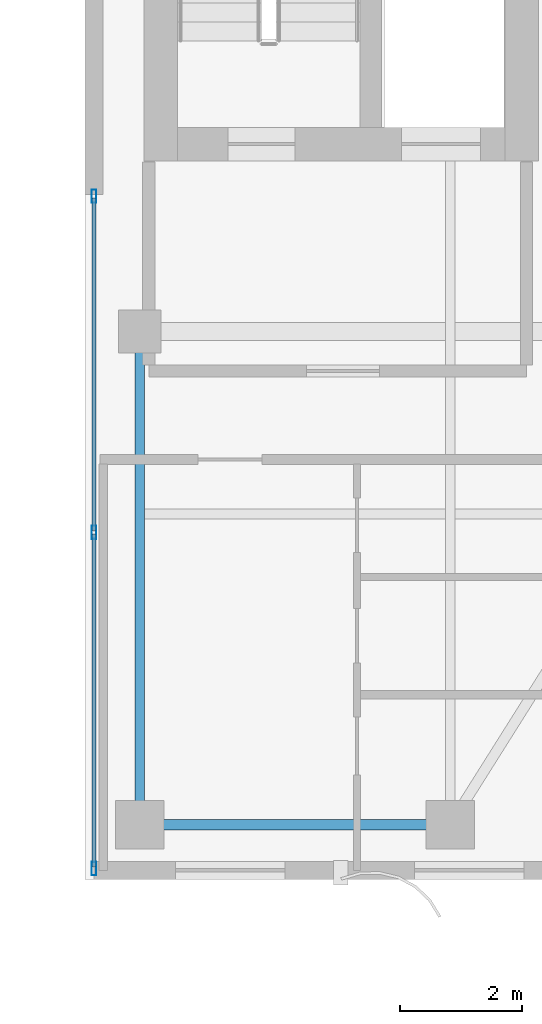
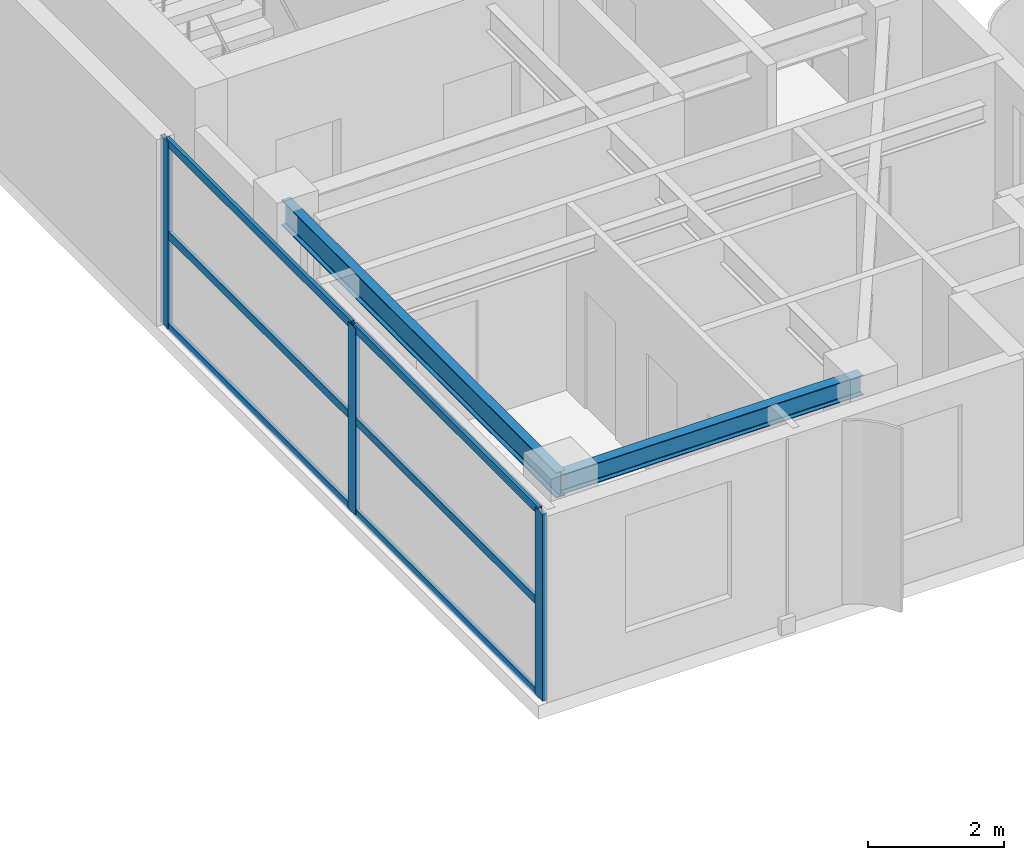
# One storey, part 4 of 23: 9 members, 2 beams, 1 element without a shape of its own.
"""IFC4 building model written with IfcOpenShell, lengths in metres."""

from ifc_helpers import new_model, si_unit, direction, frame, origin, origin_2d, place, context, subcontext, project, spatial, hollow_rectangle, i_section, extrude, source, transform, mapped, material, layer, layer_set, material_profile, profile_set, type_object, element, aggregate, save


model = new_model("IFC4")

# Units and contexts
model_context = context("Model", 3, precision=1e-05, world=origin(), true_north=direction((0.0, 1.0)))
body_context = subcontext(model_context, "Body", "Model", "MODEL_VIEW")
ifc_project = project(units=[si_unit("LENGTHUNIT", "METRE"), si_unit("AREAUNIT", "SQUARE_METRE"), si_unit("VOLUMEUNIT", "CUBIC_METRE"), si_unit("PLANEANGLEUNIT", "RADIAN"), si_unit("MASSUNIT", "GRAM", prefix="KILO")], contexts=[model_context])

# Site, building, storey
site_placement = place(None, origin())
site = spatial("IfcSite", under=ifc_project, at=site_placement, CompositionType="ELEMENT")
building_placement = place(site_placement, origin())
building = spatial("IfcBuilding", under=site, at=building_placement, Name="Khoralis Quay Care Tower", CompositionType="ELEMENT")
storey_placement = place(building_placement, frame((0.0, 0.0, 245.699951171875)))
storey = spatial("IfcBuildingStorey", under=building, at=storey_placement, Name="L64", CompositionType="ELEMENT", Elevation=245.699951171875)

# Beams
ifc_material_1 = material(Name="Steel S355", Category="steel")
ifc_material_profile_1 = material_profile(ifc_material_1, i_section(OverallWidth=0.169921875, OverallDepth=0.360107421875, WebThickness=0.008056640625, FlangeThickness=0.0126953125, FilletRadius=0.01806640625, at=origin_2d()), Name="Steel S355")
ifc_profile_set_1 = profile_set([ifc_material_profile_1], Name="Steel S355")
beam_type_1 = type_object("IfcBeamType", Name="BM-IPE360", PredefinedType="SPANDREL", material=ifc_profile_set_1)
shared_shape_1 = source(origin(), body_context, "Body", "SweptSolid", [
    extrude(i_section(OverallWidth=0.169921875, OverallDepth=0.360107421875, WebThickness=0.008056640625, FlangeThickness=0.0126953125, FilletRadius=0.01806640625, at=origin_2d()), origin(), (0.0, 0.0, 1.0), 5.10009765625),
])
beam_1_placement = place(storey_placement, frame((30.89990234375, 3.89990234375, 3.179931640625), z_axis=(1.0, 0.0, 0.0), x_axis=(0.0, 1.0, 0.0)))
element("IfcBeam", 1, at=beam_1_placement, inside=storey, type_object=beam_type_1, Name="BM-TSP-L64-02", PredefinedType="SPANDREL", context=body_context, shape_type="MappedRepresentation", body=[
    mapped(shared_shape_1, transform((0.0, 0.0, 0.0), scale=1.0)),
])
ifc_material_profile_2 = material_profile(ifc_material_1, i_section(OverallWidth=0.154052734375, OverallDepth=0.458984375, WebThickness=0.009033203125, FlangeThickness=0.015380859375, FilletRadius=0.014892578125, at=origin_2d()), Name="Steel S355")
ifc_profile_set_2 = profile_set([ifc_material_profile_2], Name="Steel S355")
beam_type_2 = type_object("IfcBeamType", Name="BM-W460X68", PredefinedType="BEAM", material=ifc_profile_set_2)
shared_shape_2 = source(origin(), body_context, "Body", "SweptSolid", [
    extrude(i_section(OverallWidth=0.154052734375, OverallDepth=0.458984375, WebThickness=0.009033203125, FlangeThickness=0.015380859375, FilletRadius=0.014892578125, at=origin_2d()), origin(), (0.0, 0.0, 1.0), 8.10009765625),
])
beam_2_placement = place(storey_placement, frame((30.89990234375, 3.89990234375, 3.130615234375), z_axis=(0.0, 1.0, 0.0), x_axis=(-1.0, 0.0, 0.0)))
element("IfcBeam", 2, at=beam_2_placement, inside=storey, type_object=beam_type_2, Name="BM-TGYS-L64-309", PredefinedType="BEAM", context=body_context, shape_type="MappedRepresentation", body=[
    mapped(shared_shape_2, transform((0.0, 0.0, 0.0), scale=1.0)),
])

# Curtain wall, members
ifc_material_2 = material(Name="Pale anodised aluminium", Category="aluminium")
ifc_layer = layer(ifc_material_2, 0.18994140625)
ifc_layer_set = layer_set([ifc_layer], Name="Pale anodised aluminium")
curtain_wall_type = type_object("IfcCurtainWallType", Name="CW-SYS-PORTAL", PredefinedType="NOTDEFINED", material=ifc_layer_set)
curtain_wall_placement = place(storey_placement, origin())
curtain_wall = element("IfcCurtainWall", 3, at=curtain_wall_placement, inside=storey, type_object=curtain_wall_type, Name="L64 Unitised Curtain Wall CW-VP-L64-P2-S", PredefinedType="NOTDEFINED")
ifc_material_profile_3 = material_profile(ifc_material_2, hollow_rectangle(XDim=0.074951171875, YDim=0.219970703125, WallThickness=0.00390625, at=origin_2d()), Name="Pale anodised aluminium")
ifc_profile_set_3 = profile_set([ifc_material_profile_3], Name="Pale anodised aluminium")
member_type_1 = type_object("IfcMemberType", Name="CW-MUL-220", PredefinedType="MULLION", material=ifc_profile_set_3)
shared_shape_3 = source(origin(), body_context, "Body", "SweptSolid", [
    extrude(hollow_rectangle(XDim=0.074951171875, YDim=0.219970703125, WallThickness=0.00390625, at=origin_2d()), origin(), (0.0, 0.0, 1.0), 3.360107421875),
])
member_1_placement = place(storey_placement, frame((30.14990234375, 3.179931640625, 0.0), z_axis=(0.0, 0.0, 1.0), x_axis=(-1.0, 0.0, 0.0)))
member_1 = element("IfcMember", 4, at=member_1_placement, type_object=member_type_1, Name="CW4 mullion 1", PredefinedType="MULLION", context=body_context, shape_type="MappedRepresentation", body=[
    mapped(shared_shape_3, transform((0.0, 0.0, 0.0), scale=1.0)),
])
member_2_placement = place(storey_placement, frame((30.14990234375, 8.699951171875, 0.0), z_axis=(0.0, 0.0, 1.0), x_axis=(-1.0, 0.0, 0.0)))
member_2 = element("IfcMember", 5, at=member_2_placement, type_object=member_type_1, Name="CW4 mullion 2", PredefinedType="MULLION", context=body_context, shape_type="MappedRepresentation", body=[
    mapped(shared_shape_3, transform((0.0, 0.0, 0.0), scale=1.0)),
])
member_3_placement = place(storey_placement, frame((30.14990234375, 14.219970703125, 0.0), z_axis=(0.0, 0.0, 1.0), x_axis=(-1.0, 0.0, 0.0)))
member_3 = element("IfcMember", 6, at=member_3_placement, type_object=member_type_1, Name="CW4 mullion 3", PredefinedType="MULLION", context=body_context, shape_type="MappedRepresentation", body=[
    mapped(shared_shape_3, transform((0.0, 0.0, 0.0), scale=1.0)),
])
ifc_material_profile_4 = material_profile(ifc_material_2, hollow_rectangle(XDim=0.06005859375, YDim=0.139892578125, WallThickness=0.00390625, at=origin_2d()), Name="Pale anodised aluminium")
ifc_profile_set_4 = profile_set([ifc_material_profile_4], Name="Pale anodised aluminium")
member_type_2 = type_object("IfcMemberType", Name="CW-TRN-140", PredefinedType="USERDEFINED", material=ifc_profile_set_4)
shared_shape_4 = source(origin(), body_context, "Body", "SweptSolid", [
    extrude(hollow_rectangle(XDim=0.06005859375, YDim=0.139892578125, WallThickness=0.00390625, at=origin_2d()), origin(), (0.0, 0.0, 1.0), 5.4599609375),
])
member_4_placement = place(storey_placement, frame((30.14990234375, 3.2099609375, 0.030029296875), z_axis=(0.0, 1.0, 0.0), x_axis=(-1.0, 0.0, 0.0)))
member_4 = element("IfcMember", 7, at=member_4_placement, type_object=member_type_2, Name="CW4 transom 1.1", ObjectType="TRANSOM", PredefinedType="USERDEFINED", context=body_context, shape_type="MappedRepresentation", body=[
    mapped(shared_shape_4, transform((0.0, 0.0, 0.0), scale=1.0)),
])
member_5_placement = place(storey_placement, frame((30.14990234375, 3.2099609375, 1.679931640625), z_axis=(0.0, 1.0, 0.0), x_axis=(-1.0, 0.0, 0.0)))
member_5 = element("IfcMember", 8, at=member_5_placement, type_object=member_type_2, Name="CW4 transom 1.2", ObjectType="TRANSOM", PredefinedType="USERDEFINED", context=body_context, shape_type="MappedRepresentation", body=[
    mapped(shared_shape_4, transform((0.0, 0.0, 0.0), scale=1.0)),
])
member_6_placement = place(storey_placement, frame((30.14990234375, 3.2099609375, 3.330078125), z_axis=(0.0, 1.0, 0.0), x_axis=(-1.0, 0.0, 0.0)))
member_6 = element("IfcMember", 9, at=member_6_placement, type_object=member_type_2, Name="CW4 transom 1.3", ObjectType="TRANSOM", PredefinedType="USERDEFINED", context=body_context, shape_type="MappedRepresentation", body=[
    mapped(shared_shape_4, transform((0.0, 0.0, 0.0), scale=1.0)),
])
member_7_placement = place(storey_placement, frame((30.14990234375, 8.72998046875, 0.030029296875), z_axis=(0.0, 1.0, 0.0), x_axis=(-1.0, 0.0, 0.0)))
member_7 = element("IfcMember", 10, at=member_7_placement, type_object=member_type_2, Name="CW4 transom 2.1", ObjectType="TRANSOM", PredefinedType="USERDEFINED", context=body_context, shape_type="MappedRepresentation", body=[
    mapped(shared_shape_4, transform((0.0, 0.0, 0.0), scale=1.0)),
])
member_8_placement = place(storey_placement, frame((30.14990234375, 8.72998046875, 1.679931640625), z_axis=(0.0, 1.0, 0.0), x_axis=(-1.0, 0.0, 0.0)))
member_8 = element("IfcMember", 11, at=member_8_placement, type_object=member_type_2, Name="CW4 transom 2.2", ObjectType="TRANSOM", PredefinedType="USERDEFINED", context=body_context, shape_type="MappedRepresentation", body=[
    mapped(shared_shape_4, transform((0.0, 0.0, 0.0), scale=1.0)),
])
member_9_placement = place(storey_placement, frame((30.14990234375, 8.72998046875, 3.330078125), z_axis=(0.0, 1.0, 0.0), x_axis=(-1.0, 0.0, 0.0)))
member_9 = element("IfcMember", 12, at=member_9_placement, type_object=member_type_2, Name="CW4 transom 2.3", ObjectType="TRANSOM", PredefinedType="USERDEFINED", context=body_context, shape_type="MappedRepresentation", body=[
    mapped(shared_shape_4, transform((0.0, 0.0, 0.0), scale=1.0)),
])
aggregate(curtain_wall, [member_1, member_2, member_3, member_4, member_5, member_6, member_7, member_8, member_9])

save(model, "model.ifc")
